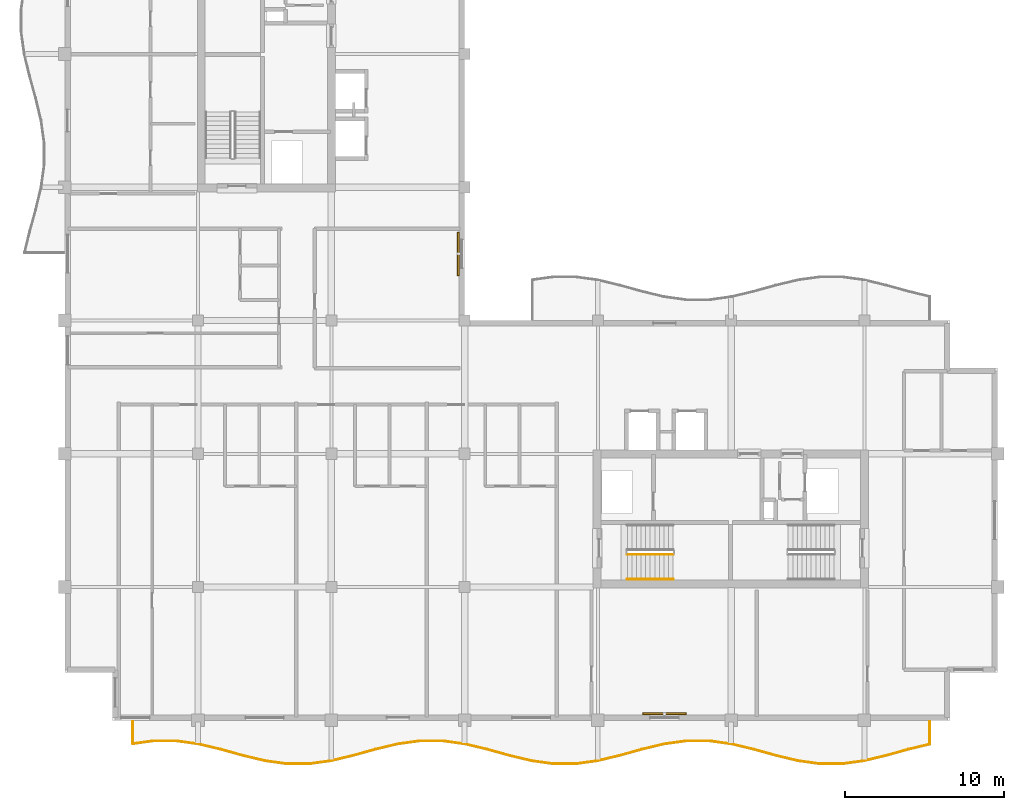
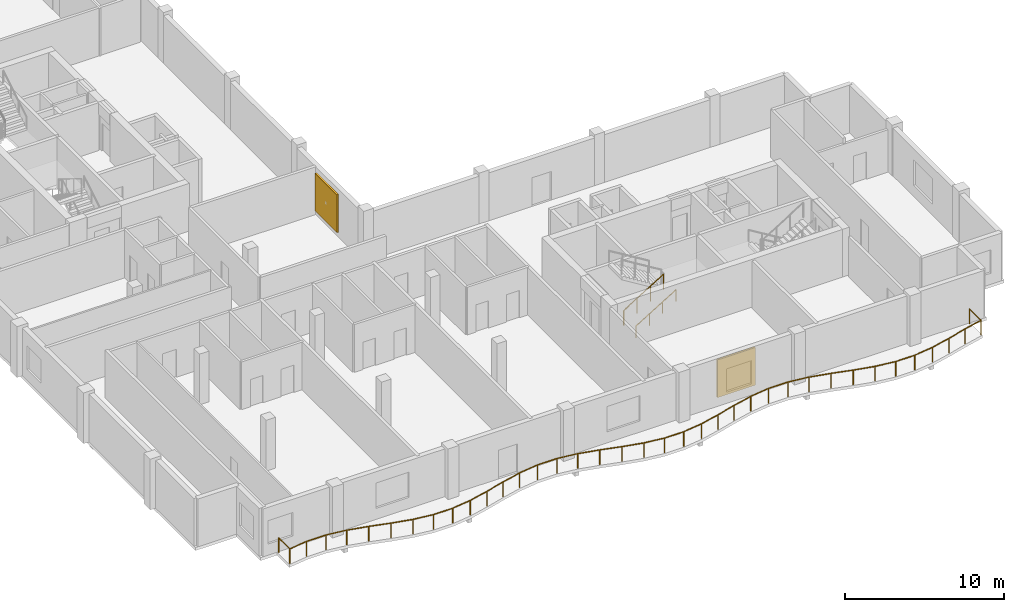
# One storey, part 9 of 11: 3 railings, 2 shading devices.
"""IFC4 building model written with IfcOpenShell, lengths in metres."""

from ifc_helpers import new_model, si_unit, direction, frame, origin, origin_2d, place, context, subcontext, project, spatial, rectangle, circle, extrude, material, layer, layer_set, type_object, element, save


model = new_model("IFC4")

# Units and contexts
model_context = context("Model", 3, precision=1e-05, world=origin(), true_north=direction((0.0, 1.0)))
body_context = subcontext(model_context, "Body", "Model", "MODEL_VIEW")
ifc_project = project(units=[si_unit("LENGTHUNIT", "METRE"), si_unit("AREAUNIT", "SQUARE_METRE"), si_unit("VOLUMEUNIT", "CUBIC_METRE"), si_unit("PLANEANGLEUNIT", "RADIAN"), si_unit("MASSUNIT", "GRAM", prefix="KILO")], contexts=[model_context])

# Site, building, storey
site_placement = place(None, origin())
site = spatial("IfcSite", under=ifc_project, at=site_placement, CompositionType="ELEMENT")
building_placement = place(site_placement, origin())
building = spatial("IfcBuilding", under=site, at=building_placement, Name="Koriwani Terraces Tower", CompositionType="ELEMENT")
storey_placement = place(building_placement, frame((0.0, 0.0, 320.300048828125)))
storey = spatial("IfcBuildingStorey", under=building, at=storey_placement, Name="L79", CompositionType="ELEMENT", Elevation=320.300048828125)

# Railings
ifc_material_1 = material(Name="Steel ASTM A572 Grade 50", Category="steel")
railing_type_1 = type_object("IfcRailingType", Name="GUARD_BALUSTRADE_1150", PredefinedType="BALUSTRADE", material=ifc_material_1)
railing_1_placement = place(storey_placement, frame((12.679931640625, 8.320068359375, 0.0)))
element("IfcRailing", 1, at=railing_1_placement, inside=storey, type_object=railing_type_1, Name="L79 Balcony Perimeter Safety Balustrade (S)", PredefinedType="BALUSTRADE", context=body_context, shape_type="SweptSolid", body=[
    extrude(circle(Radius=0.02392578125, at=origin_2d()), frame((0.0, 0.0, 1.1259765625), z_axis=(0.0, -1.0, 0.0), x_axis=(1.0, 0.0, 0.0)), (0.0, 0.0, 1.0), 1.39794921875),
    extrude(circle(Radius=0.02392578125, at=origin_2d()), frame((0.0, -1.39794921875, 1.1259765625), z_axis=(0.99056178386, 0.137066963034, 0.0), x_axis=(-0.137066963034, 0.99056178386, 0.0)), (0.0, 0.0, 1.0), 1.326904296875),
    extrude(circle(Radius=0.02392578125, at=origin_2d()), frame((1.314453125, -1.216064453125, 1.1259765625), z_axis=(1.0, 0.0, 0.0), x_axis=(0.0, 1.0, 0.0)), (0.0, 0.0, 1.0), 1.4111328125),
    extrude(circle(Radius=0.02392578125, at=origin_2d()), frame((2.7255859375, -1.216064453125, 1.1259765625), z_axis=(0.990531206111, -0.137287762455, 0.0), x_axis=(0.137287762455, 0.990531206111, 0.0)), (0.0, 0.0, 1.0), 1.422607421875),
    extrude(circle(Radius=0.02392578125, at=origin_2d()), frame((4.134765625, -1.411376953125, 1.1259765625), z_axis=(0.972404167631, -0.233302667738, 0.0), x_axis=(0.233302667738, 0.972404167631, 0.0)), (0.0, 0.0, 1.0), 1.445068359375),
    extrude(circle(Radius=0.02392578125, at=origin_2d()), frame((5.5400390625, -1.74853515625, 1.1259765625), z_axis=(0.963650193341, -0.26716718525, 0.0), x_axis=(0.26716718525, 0.963650193341, 0.0)), (0.0, 0.0, 1.0), 1.452880859375),
    extrude(circle(Radius=0.02392578125, at=origin_2d()), frame((6.940185546875, -2.13671875, 1.1259765625), z_axis=(0.972353303141, -0.233514568862, 0.0), x_axis=(0.233514568862, 0.972353303141, 0.0)), (0.0, 0.0, 1.0), 1.434326171875),
    extrude(circle(Radius=0.02392578125, at=origin_2d()), frame((8.3349609375, -2.4716796875, 1.1259765625), z_axis=(0.990518583157, -0.137378806302, 0.0), x_axis=(0.137378806302, 0.990518583157, 0.0)), (0.0, 0.0, 1.0), 1.404052734375),
    extrude(circle(Radius=0.02392578125, at=origin_2d()), frame((9.7255859375, -2.66455078125, 1.1259765625), z_axis=(1.0, 0.0, 0.0), x_axis=(0.0, 1.0, 0.0)), (0.0, 0.0, 1.0), 1.388916015625),
    extrude(circle(Radius=0.02392578125, at=origin_2d()), frame((11.114501953125, -2.66455078125, 1.1259765625), z_axis=(0.990518583157, 0.137378806302, 0.0), x_axis=(-0.137378806302, 0.990518583157, 0.0)), (0.0, 0.0, 1.0), 1.404052734375),
    extrude(circle(Radius=0.02392578125, at=origin_2d()), frame((12.505126953125, -2.4716796875, 1.1259765625), z_axis=(0.972362581689, 0.23347592966, 0.0), x_axis=(-0.23347592966, 0.972362581689, 0.0)), (0.0, 0.0, 1.0), 1.4345703125),
    extrude(circle(Radius=0.02392578125, at=origin_2d()), frame((13.900146484375, -2.13671875, 1.1259765625), z_axis=(0.963638196753, 0.267210452187, 0.0), x_axis=(-0.267210452187, 0.963638196753, 0.0)), (0.0, 0.0, 1.0), 1.45263671875),
    extrude(circle(Radius=0.02392578125, at=origin_2d()), frame((15.300048828125, -1.74853515625, 1.1259765625), z_axis=(0.972404167631, 0.233302667738, 0.0), x_axis=(-0.233302667738, 0.972404167631, 0.0)), (0.0, 0.0, 1.0), 1.445068359375),
    extrude(circle(Radius=0.02392578125, at=origin_2d()), frame((16.705322265625, -1.411376953125, 1.1259765625), z_axis=(0.990531206111, 0.137287762455, 0.0), x_axis=(-0.137287762455, 0.990531206111, 0.0)), (0.0, 0.0, 1.0), 1.422607421875),
    extrude(circle(Radius=0.02392578125, at=origin_2d()), frame((18.114501953125, -1.216064453125, 1.1259765625), z_axis=(1.0, 0.0, 0.0), x_axis=(0.0, 1.0, 0.0)), (0.0, 0.0, 1.0), 1.4111328125),
    extrude(circle(Radius=0.02392578125, at=origin_2d()), frame((19.525634765625, -1.216064453125, 1.1259765625), z_axis=(0.990531206111, -0.137287762455, 0.0), x_axis=(0.137287762455, 0.990531206111, 0.0)), (0.0, 0.0, 1.0), 1.422607421875),
    extrude(circle(Radius=0.02392578125, at=origin_2d()), frame((20.934814453125, -1.411376953125, 1.1259765625), z_axis=(0.972404167631, -0.233302667738, 0.0), x_axis=(0.233302667738, 0.972404167631, 0.0)), (0.0, 0.0, 1.0), 1.445068359375),
    extrude(circle(Radius=0.02392578125, at=origin_2d()), frame((22.340087890625, -1.74853515625, 1.1259765625), z_axis=(0.963638196753, -0.267210452187, 0.0), x_axis=(0.267210452187, 0.963638196753, 0.0)), (0.0, 0.0, 1.0), 1.45263671875),
    extrude(circle(Radius=0.02392578125, at=origin_2d()), frame((23.739990234375, -2.13671875, 1.1259765625), z_axis=(0.972362581689, -0.23347592966, 0.0), x_axis=(0.23347592966, 0.972362581689, 0.0)), (0.0, 0.0, 1.0), 1.4345703125),
    extrude(circle(Radius=0.02392578125, at=origin_2d()), frame((25.135009765625, -2.4716796875, 1.1259765625), z_axis=(0.990518583157, -0.137378806302, 0.0), x_axis=(0.137378806302, 0.990518583157, 0.0)), (0.0, 0.0, 1.0), 1.404052734375),
    extrude(circle(Radius=0.02392578125, at=origin_2d()), frame((26.525634765625, -2.66455078125, 1.1259765625), z_axis=(1.0, 0.0, 0.0), x_axis=(0.0, 1.0, 0.0)), (0.0, 0.0, 1.0), 1.388916015625),
    extrude(circle(Radius=0.02392578125, at=origin_2d()), frame((27.91455078125, -2.66455078125, 1.1259765625), z_axis=(0.990518583157, 0.137378806302, 0.0), x_axis=(-0.137378806302, 0.990518583157, 0.0)), (0.0, 0.0, 1.0), 1.404052734375),
    extrude(circle(Radius=0.02392578125, at=origin_2d()), frame((29.30517578125, -2.4716796875, 1.1259765625), z_axis=(0.972353303141, 0.233514568862, 0.0), x_axis=(-0.233514568862, 0.972353303141, 0.0)), (0.0, 0.0, 1.0), 1.434326171875),
    extrude(circle(Radius=0.02392578125, at=origin_2d()), frame((30.699951171875, -2.13671875, 1.1259765625), z_axis=(0.963650193341, 0.26716718525, 0.0), x_axis=(-0.26716718525, 0.963650193341, 0.0)), (0.0, 0.0, 1.0), 1.452880859375),
    extrude(circle(Radius=0.02392578125, at=origin_2d()), frame((32.10009765625, -1.74853515625, 1.1259765625), z_axis=(0.972404167631, 0.233302667738, 0.0), x_axis=(-0.233302667738, 0.972404167631, 0.0)), (0.0, 0.0, 1.0), 1.445068359375),
    extrude(circle(Radius=0.02392578125, at=origin_2d()), frame((33.50537109375, -1.411376953125, 1.1259765625), z_axis=(0.990531206111, 0.137287762455, 0.0), x_axis=(-0.137287762455, 0.990531206111, 0.0)), (0.0, 0.0, 1.0), 1.422607421875),
    extrude(circle(Radius=0.02392578125, at=origin_2d()), frame((34.91455078125, -1.216064453125, 1.1259765625), z_axis=(1.0, 0.0, 0.0), x_axis=(0.0, 1.0, 0.0)), (0.0, 0.0, 1.0), 1.4111328125),
    extrude(circle(Radius=0.02392578125, at=origin_2d()), frame((36.32568359375, -1.216064453125, 1.1259765625), z_axis=(0.990531206111, -0.137287762455, 0.0), x_axis=(0.137287762455, 0.990531206111, 0.0)), (0.0, 0.0, 1.0), 1.422607421875),
    extrude(circle(Radius=0.02392578125, at=origin_2d()), frame((37.73486328125, -1.411376953125, 1.1259765625), z_axis=(0.972404167631, -0.233302667738, 0.0), x_axis=(0.233302667738, 0.972404167631, 0.0)), (0.0, 0.0, 1.0), 1.445068359375),
    extrude(circle(Radius=0.02392578125, at=origin_2d()), frame((39.14013671875, -1.74853515625, 1.1259765625), z_axis=(0.963638196753, -0.267210452187, 0.0), x_axis=(0.267210452187, 0.963638196753, 0.0)), (0.0, 0.0, 1.0), 1.45263671875),
    extrude(circle(Radius=0.02392578125, at=origin_2d()), frame((40.5400390625, -2.13671875, 1.1259765625), z_axis=(0.972362581689, -0.23347592966, 0.0), x_axis=(0.23347592966, 0.972362581689, 0.0)), (0.0, 0.0, 1.0), 1.4345703125),
    extrude(circle(Radius=0.02392578125, at=origin_2d()), frame((41.93505859375, -2.4716796875, 1.1259765625), z_axis=(0.990518583157, -0.137378806302, 0.0), x_axis=(0.137378806302, 0.990518583157, 0.0)), (0.0, 0.0, 1.0), 1.404052734375),
    extrude(circle(Radius=0.02392578125, at=origin_2d()), frame((43.32568359375, -2.66455078125, 1.1259765625), z_axis=(1.0, 0.0, 0.0), x_axis=(0.0, 1.0, 0.0)), (0.0, 0.0, 1.0), 1.388916015625),
    extrude(circle(Radius=0.02392578125, at=origin_2d()), frame((44.714599609375, -2.66455078125, 1.1259765625), z_axis=(0.990518583157, 0.137378806302, 0.0), x_axis=(-0.137378806302, 0.990518583157, 0.0)), (0.0, 0.0, 1.0), 1.404052734375),
    extrude(circle(Radius=0.02392578125, at=origin_2d()), frame((46.105224609375, -2.4716796875, 1.1259765625), z_axis=(0.972353303141, 0.233514568862, 0.0), x_axis=(-0.233514568862, 0.972353303141, 0.0)), (0.0, 0.0, 1.0), 1.434326171875),
    extrude(circle(Radius=0.02392578125, at=origin_2d()), frame((47.5, -2.13671875, 1.1259765625), z_axis=(0.963650193341, 0.26716718525, 0.0), x_axis=(-0.26716718525, 0.963650193341, 0.0)), (0.0, 0.0, 1.0), 1.452880859375),
    extrude(circle(Radius=0.02392578125, at=origin_2d()), frame((48.900146484375, -1.74853515625, 1.1259765625), z_axis=(0.972351908849, 0.233520374611, 0.0), x_axis=(-0.233520374611, 0.972351908849, 0.0)), (0.0, 0.0, 1.0), 1.3779296875),
    extrude(circle(Radius=0.02392578125, at=origin_2d()), frame((50.239990234375, -1.4267578125, 1.1259765625), z_axis=(0.0, 1.0, 0.0), x_axis=(-1.0, 0.0, 0.0)), (0.0, 0.0, 1.0), 1.4267578125),
    extrude(circle(Radius=0.02099609375, at=origin_2d()), origin(), (0.0, 0.0, 1.0), 1.101806640625),
    extrude(circle(Radius=0.02099609375, at=origin_2d()), frame((0.0, -1.39794921875, 0.0)), (0.0, 0.0, 1.0), 1.101806640625),
    extrude(circle(Radius=0.02099609375, at=origin_2d()), frame((1.314453125, -1.216064453125, 0.0)), (0.0, 0.0, 1.0), 1.101806640625),
    extrude(circle(Radius=0.02099609375, at=origin_2d()), frame((2.7255859375, -1.216064453125, 0.0)), (0.0, 0.0, 1.0), 1.101806640625),
    extrude(circle(Radius=0.02099609375, at=origin_2d()), frame((4.134765625, -1.411376953125, 0.0)), (0.0, 0.0, 1.0), 1.101806640625),
    extrude(circle(Radius=0.02099609375, at=origin_2d()), frame((5.5400390625, -1.74853515625, 0.0)), (0.0, 0.0, 1.0), 1.101806640625),
    extrude(circle(Radius=0.02099609375, at=origin_2d()), frame((6.940185546875, -2.13671875, 0.0)), (0.0, 0.0, 1.0), 1.101806640625),
    extrude(circle(Radius=0.02099609375, at=origin_2d()), frame((8.3349609375, -2.4716796875, 0.0)), (0.0, 0.0, 1.0), 1.101806640625),
    extrude(circle(Radius=0.02099609375, at=origin_2d()), frame((9.7255859375, -2.66455078125, 0.0)), (0.0, 0.0, 1.0), 1.101806640625),
    extrude(circle(Radius=0.02099609375, at=origin_2d()), frame((11.114501953125, -2.66455078125, 0.0)), (0.0, 0.0, 1.0), 1.101806640625),
    extrude(circle(Radius=0.02099609375, at=origin_2d()), frame((12.505126953125, -2.4716796875, 0.0)), (0.0, 0.0, 1.0), 1.101806640625),
    extrude(circle(Radius=0.02099609375, at=origin_2d()), frame((13.900146484375, -2.13671875, 0.0)), (0.0, 0.0, 1.0), 1.101806640625),
    extrude(circle(Radius=0.02099609375, at=origin_2d()), frame((15.300048828125, -1.74853515625, 0.0)), (0.0, 0.0, 1.0), 1.101806640625),
    extrude(circle(Radius=0.02099609375, at=origin_2d()), frame((16.705322265625, -1.411376953125, 0.0)), (0.0, 0.0, 1.0), 1.101806640625),
    extrude(circle(Radius=0.02099609375, at=origin_2d()), frame((18.114501953125, -1.216064453125, 0.0)), (0.0, 0.0, 1.0), 1.101806640625),
    extrude(circle(Radius=0.02099609375, at=origin_2d()), frame((19.525634765625, -1.216064453125, 0.0)), (0.0, 0.0, 1.0), 1.101806640625),
    extrude(circle(Radius=0.02099609375, at=origin_2d()), frame((20.934814453125, -1.411376953125, 0.0)), (0.0, 0.0, 1.0), 1.101806640625),
    extrude(circle(Radius=0.02099609375, at=origin_2d()), frame((22.340087890625, -1.74853515625, 0.0)), (0.0, 0.0, 1.0), 1.101806640625),
    extrude(circle(Radius=0.02099609375, at=origin_2d()), frame((23.739990234375, -2.13671875, 0.0)), (0.0, 0.0, 1.0), 1.101806640625),
    extrude(circle(Radius=0.02099609375, at=origin_2d()), frame((25.135009765625, -2.4716796875, 0.0)), (0.0, 0.0, 1.0), 1.101806640625),
    extrude(circle(Radius=0.02099609375, at=origin_2d()), frame((26.525634765625, -2.66455078125, 0.0)), (0.0, 0.0, 1.0), 1.101806640625),
    extrude(circle(Radius=0.02099609375, at=origin_2d()), frame((27.91455078125, -2.66455078125, 0.0)), (0.0, 0.0, 1.0), 1.101806640625),
    extrude(circle(Radius=0.02099609375, at=origin_2d()), frame((29.30517578125, -2.4716796875, 0.0)), (0.0, 0.0, 1.0), 1.101806640625),
    extrude(circle(Radius=0.02099609375, at=origin_2d()), frame((30.699951171875, -2.13671875, 0.0)), (0.0, 0.0, 1.0), 1.101806640625),
    extrude(circle(Radius=0.02099609375, at=origin_2d()), frame((32.10009765625, -1.74853515625, 0.0)), (0.0, 0.0, 1.0), 1.101806640625),
    extrude(circle(Radius=0.02099609375, at=origin_2d()), frame((33.50537109375, -1.411376953125, 0.0)), (0.0, 0.0, 1.0), 1.101806640625),
    extrude(circle(Radius=0.02099609375, at=origin_2d()), frame((34.91455078125, -1.216064453125, 0.0)), (0.0, 0.0, 1.0), 1.101806640625),
    extrude(circle(Radius=0.02099609375, at=origin_2d()), frame((36.32568359375, -1.216064453125, 0.0)), (0.0, 0.0, 1.0), 1.101806640625),
    extrude(circle(Radius=0.02099609375, at=origin_2d()), frame((37.73486328125, -1.411376953125, 0.0)), (0.0, 0.0, 1.0), 1.101806640625),
    extrude(circle(Radius=0.02099609375, at=origin_2d()), frame((39.14013671875, -1.74853515625, 0.0)), (0.0, 0.0, 1.0), 1.101806640625),
    extrude(circle(Radius=0.02099609375, at=origin_2d()), frame((40.5400390625, -2.13671875, 0.0)), (0.0, 0.0, 1.0), 1.101806640625),
    extrude(circle(Radius=0.02099609375, at=origin_2d()), frame((41.93505859375, -2.4716796875, 0.0)), (0.0, 0.0, 1.0), 1.101806640625),
    extrude(circle(Radius=0.02099609375, at=origin_2d()), frame((43.32568359375, -2.66455078125, 0.0)), (0.0, 0.0, 1.0), 1.101806640625),
    extrude(circle(Radius=0.02099609375, at=origin_2d()), frame((44.714599609375, -2.66455078125, 0.0)), (0.0, 0.0, 1.0), 1.101806640625),
    extrude(circle(Radius=0.02099609375, at=origin_2d()), frame((46.105224609375, -2.4716796875, 0.0)), (0.0, 0.0, 1.0), 1.101806640625),
    extrude(circle(Radius=0.02099609375, at=origin_2d()), frame((47.5, -2.13671875, 0.0)), (0.0, 0.0, 1.0), 1.101806640625),
    extrude(circle(Radius=0.02099609375, at=origin_2d()), frame((48.900146484375, -1.74853515625, 0.0)), (0.0, 0.0, 1.0), 1.101806640625),
    extrude(circle(Radius=0.02099609375, at=origin_2d()), frame((50.239990234375, -1.4267578125, 0.0)), (0.0, 0.0, 1.0), 1.101806640625),
    extrude(circle(Radius=0.02099609375, at=origin_2d()), frame((50.239990234375, 0.0, 0.0)), (0.0, 0.0, 1.0), 1.101806640625),
])
railing_type_2 = type_object("IfcRailingType", Name="GUARD_STAIR_WELL_1120", PredefinedType="GUARDRAIL", material=ifc_material_1)
railing_2_placement = place(storey_placement, frame((43.85009765625, 18.85009765625, 0.17724609375)))
element("IfcRailing", 2, at=railing_2_placement, inside=storey, type_object=railing_type_2, Name="L79 ST-E1 stair guard 1", PredefinedType="GUARDRAIL", context=body_context, shape_type="SweptSolid", body=[
    extrude(circle(Radius=0.02392578125, at=origin_2d()), frame((0.0, 0.0, 1.1259765625), z_axis=(0.853210801645, 0.0, 0.521566225858), x_axis=(0.0, 1.0, 0.0)), (0.0, 0.0, 1.0), 3.39892578125),
    extrude(circle(Radius=0.02099609375, at=origin_2d()), origin(), (0.0, 0.0, 1.0), 1.101806640625),
    extrude(circle(Radius=0.02099609375, at=origin_2d()), frame((0.966552734375, 0.0, 0.5908203125)), (0.0, 0.0, 1.0), 1.101806640625),
    extrude(circle(Radius=0.02099609375, at=origin_2d()), frame((1.933349609375, 0.0, 1.181884765625)), (0.0, 0.0, 1.0), 1.101806640625),
    extrude(circle(Radius=0.02099609375, at=origin_2d()), frame((2.89990234375, 0.0, 1.772705078125)), (0.0, 0.0, 1.0), 1.101806640625),
])
railing_type_3 = type_object("IfcRailingType", Name="HANDRAIL_STAIR_920", PredefinedType="HANDRAIL", material=ifc_material_1)
railing_3_placement = place(storey_placement, frame((43.85009765625, 17.300048828125, 0.17724609375)))
element("IfcRailing", 3, at=railing_3_placement, inside=storey, type_object=railing_type_3, Name="L79 ST-E1 stair handrail 1", PredefinedType="HANDRAIL", context=body_context, shape_type="SweptSolid", body=[
    extrude(circle(Radius=0.02392578125, at=origin_2d()), frame((0.0, 0.0, 0.8759765625), z_axis=(0.853210801645, 0.0, 0.521566225858), x_axis=(0.0, 1.0, 0.0)), (0.0, 0.0, 1.0), 3.39892578125),
    extrude(circle(Radius=0.02099609375, at=origin_2d()), origin(), (0.0, 0.0, 1.0), 0.851806640625),
    extrude(circle(Radius=0.02099609375, at=origin_2d()), frame((0.966552734375, 0.0, 0.5908203125)), (0.0, 0.0, 1.0), 0.851806640625),
    extrude(circle(Radius=0.02099609375, at=origin_2d()), frame((1.933349609375, 0.0, 1.181884765625)), (0.0, 0.0, 1.0), 0.851806640625),
    extrude(circle(Radius=0.02099609375, at=origin_2d()), frame((2.89990234375, 0.0, 1.772705078125)), (0.0, 0.0, 1.0), 0.851806640625),
])

# Shading devices
ifc_material_2 = material(Name="Extruded Terracotta Clay", Category="masonry")
ifc_layer = layer(ifc_material_2, 0.1201171875, Name="Extruded Terracotta Clay")
ifc_layer_set = layer_set([ifc_layer], Name="Extruded Terracotta Clay")
shading_device_type = type_object("IfcShadingDeviceType", Name="TERRACOTTA_BAGUETTE_SCREEN_2800", PredefinedType="USERDEFINED", material=ifc_layer_set)
for number, where, z_axis, x_axis, name in (
    (4, (33.195068359375, 37.800048828125, 0.385009765625), (0.0, 0.0, 1.0), (0.0, -1.0, 0.0), "L79 Extruded Terracotta Baguette Screen (NW_IN-2)"),
    (5, (46.199951171875, 8.804931640625, 0.385009765625), (0.0, 0.0, 1.0), (-1.0, 0.0, 0.0), "L79 Extruded Terracotta Baguette Screen (S-12)"),
):
    element("IfcShadingDevice", number, at=place(storey_placement, frame(where, z_axis=z_axis, x_axis=x_axis)), inside=storey, type_object=shading_device_type, Name=name, ObjectType="BAGUETTE", PredefinedType="USERDEFINED", context=body_context, shape_type="SweptSolid", body=[
        extrude(rectangle(XDim=2.760009765625, YDim=0.1201171875, at=origin_2d()), origin(), (0.0, 0.0, 1.0), 2.89990234375),
    ])

save(model, "model.ifc")
